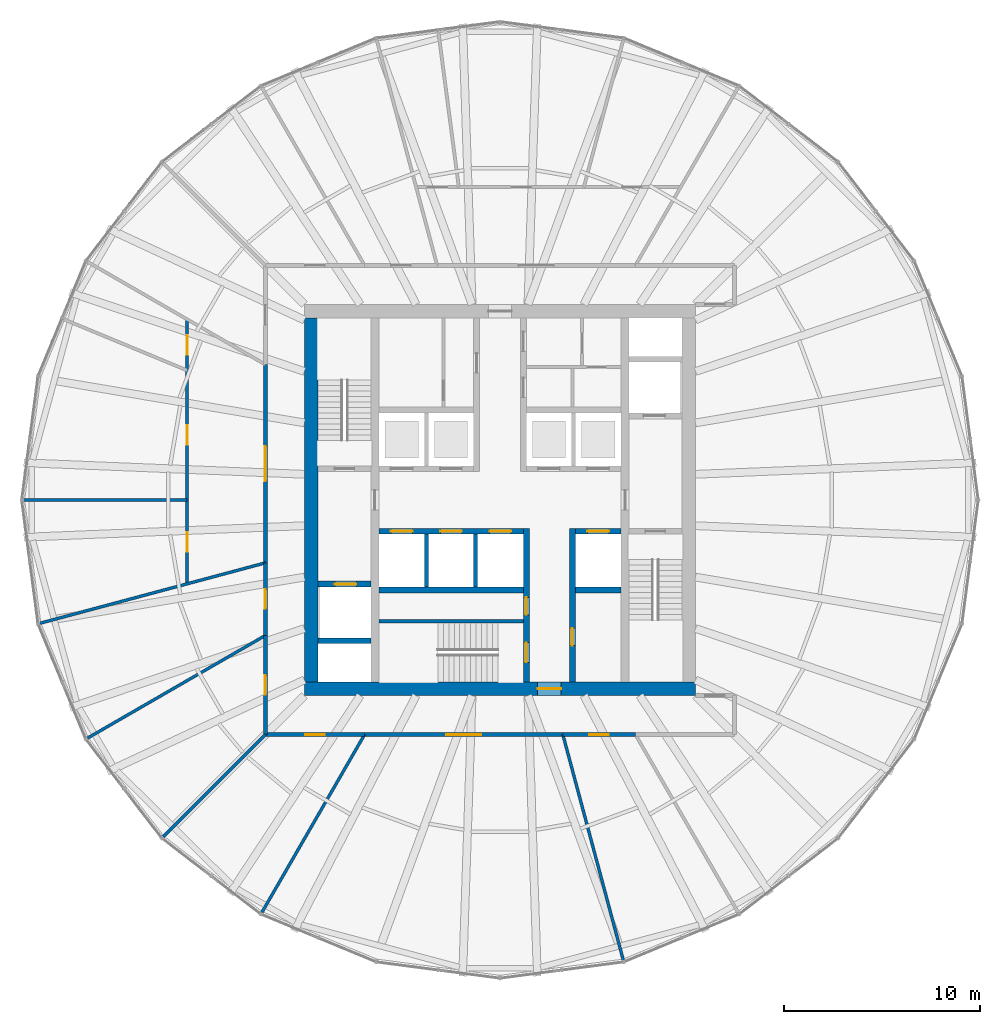
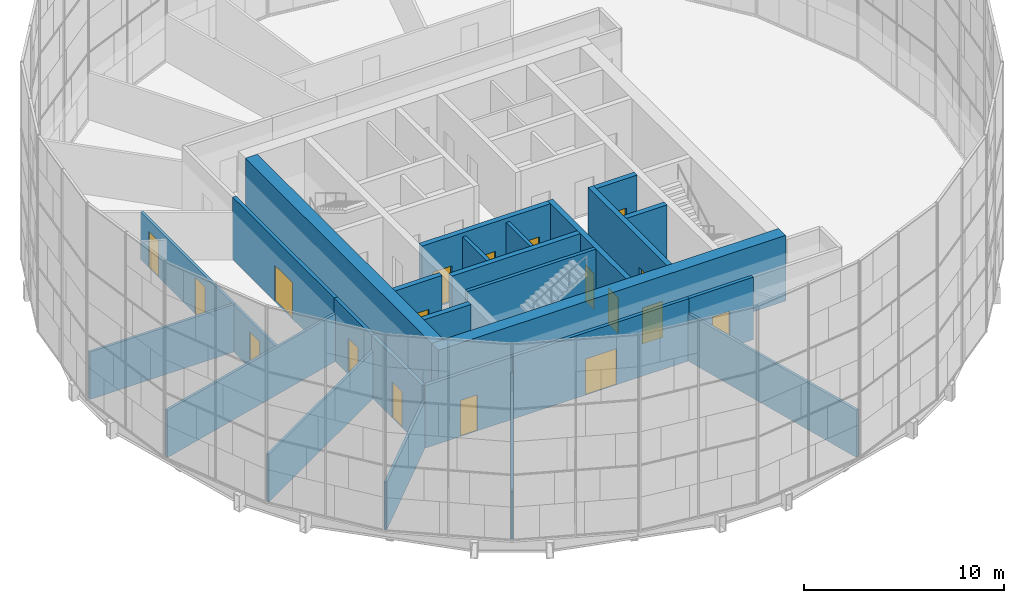
# One storey, part 18 of 22: 26 walls, 18 doors, 18 openings.
"""IFC4 building model written with IfcOpenShell, lengths in metres."""

from ifc_helpers import new_model, si_unit, direction, frame, frame_2d, origin, place, context, subcontext, project, spatial, rectangle, extrude, material, layer, layer_set, type_object, element, fill, save


model = new_model("IFC4")

# Units and contexts
model_context = context("Model", 3, precision=1e-05, world=origin(), true_north=direction((0.0, 1.0)))
body_context = subcontext(model_context, "Body", "Model", "MODEL_VIEW")
ifc_project = project(units=[si_unit("LENGTHUNIT", "METRE"), si_unit("AREAUNIT", "SQUARE_METRE"), si_unit("VOLUMEUNIT", "CUBIC_METRE"), si_unit("PLANEANGLEUNIT", "RADIAN"), si_unit("MASSUNIT", "GRAM", prefix="KILO")], contexts=[model_context])

# Site, building, storey
site_placement = place(None, origin())
site = spatial("IfcSite", under=ifc_project, at=site_placement, CompositionType="ELEMENT")
building_placement = place(site_placement, origin())
building = spatial("IfcBuilding", under=site, at=building_placement, Name="Golbaran Civic Tower", CompositionType="ELEMENT")
storey_placement = place(building_placement, frame((0.0, 0.0, 90.0)))
storey = spatial("IfcBuildingStorey", under=building, at=storey_placement, Name="L21", CompositionType="ELEMENT", Elevation=90.0)

# Wall, opening, door
ifc_material_1 = material(Name="Concrete C50/60", Category="concrete")
ifc_layer_1 = layer(ifc_material_1, 0.699951171875, Name="Concrete C50/60")
ifc_layer_set_1 = layer_set([ifc_layer_1], Name="Concrete C50/60")
wall_type_1 = type_object("IfcWallType", Name="CORE WALL CONCRETE 700", PredefinedType="SOLIDWALL", material=ifc_layer_set_1)
wall_1_placement = place(storey_placement, frame((10.0, -9.64990234375, 0.0), z_axis=(0.0, 0.0, 1.0), x_axis=(-1.0, 0.0, 0.0)))
wall_1 = element("IfcWall", 1, at=wall_1_placement, inside=storey, type_object=wall_type_1, Name="Core wall CS L21", PredefinedType="SOLIDWALL", context=body_context, shape_type="SweptSolid", body=[
    extrude(rectangle(XDim=20.0, YDim=0.699951171875, at=frame_2d((10.0, 0.0))), origin(), (0.0, 0.0, 1.0), 4.0),
])
opening_1_placement = place(wall_1_placement, frame((6.875, 0.0, 0.0)))
opening_1 = element("IfcOpeningElement", 2, at=opening_1_placement, cuts=wall_1, Name="Opening L21.CS", PredefinedType="OPENING", context=body_context, shape_type="SweptSolid", body=[
    extrude(rectangle(XDim=1.199951171875, YDim=2.199951171875, at=frame_2d((0.60009765625, 1.10009765625))), frame((0.0, 0.35986328125, 0.0), z_axis=(0.0, -1.0, 0.0), x_axis=(1.0, 0.0, 0.0)), (0.0, 0.0, 1.0), 0.719970703125),
])
ifc_material_2 = material(Name="Timber door set in steel frame", Category="steel")
door_type_1 = type_object("IfcDoorType", Name="CORE DOOR 1200x2200", OperationType="DOUBLE_DOOR_SINGLE_SWING", PredefinedType="DOOR", material=ifc_material_2)
door_1_placement = place(opening_1_placement, origin())
door_1 = element("IfcDoor", 3, at=door_1_placement, inside=storey, type_object=door_type_1, Name="Core door south", OperationType="DOUBLE_DOOR_SINGLE_SWING", OverallHeight=2.199951171875, OverallWidth=1.199951171875, PredefinedType="DOOR", context=body_context, shape_type="SweptSolid", body=[
    extrude(rectangle(XDim=1.199951171875, YDim=2.199951171875, at=frame_2d((0.60009765625, 1.10009765625))), frame((0.0, 0.02490234375, 0.0), z_axis=(0.0, -1.0, 0.0), x_axis=(1.0, 0.0, 0.0)), (0.0, 0.0, 1.0), 0.050048828125),
])
fill(opening_1, door_1)

# Wall
wall_2_placement = place(storey_placement, frame((-9.64990234375, 9.300048828125, 0.0), z_axis=(0.0, 0.0, 1.0), x_axis=(0.0, -1.0, 0.0)))
element("IfcWall", 4, at=wall_2_placement, inside=storey, type_object=wall_type_1, Name="Core wall CW L21", PredefinedType="SOLIDWALL", context=body_context, shape_type="SweptSolid", body=[
    extrude(rectangle(XDim=18.60009765625, YDim=0.699951171875, at=frame_2d((9.300048828125, 0.0))), origin(), (0.0, 0.0, 1.0), 4.0),
])

# Wall, opening, door
ifc_material_3 = material(Name="Gypsum board on steel studs, fire-rated", Category="steel")
ifc_layer_2 = layer(ifc_material_3, 0.199951171875, Name="Gypsum board on steel studs, fire-rated")
ifc_layer_set_2 = layer_set([ifc_layer_2], Name="Gypsum board on steel studs, fire-rated")
wall_type_2 = type_object("IfcWallType", Name="CORRIDOR WALL 200", PredefinedType="PARTITIONING", material=ifc_layer_set_2)
wall_3_placement = place(storey_placement, frame((-12.0, 6.92822265625, 0.0), z_axis=(0.0, 0.0, 1.0), x_axis=(0.0, -1.0, 0.0)))
wall_3 = element("IfcWall", 5, at=wall_3_placement, inside=storey, type_object=wall_type_2, Name="Corridor wall L21", PredefinedType="PARTITIONING", context=body_context, shape_type="SweptSolid", body=[
    extrude(rectangle(XDim=10.1435546875, YDim=0.199951171875, at=frame_2d((5.07177734375, 0.0))), origin(), (0.0, 0.0, 1.0), 3.800048828125),
])
opening_2_placement = place(wall_3_placement, frame((4.171875, 0.0, 0.0)))
opening_2 = element("IfcOpeningElement", 6, at=opening_2_placement, cuts=wall_3, Name="Opening L21.12", PredefinedType="OPENING", context=body_context, shape_type="SweptSolid", body=[
    extrude(rectangle(XDim=1.800048828125, YDim=2.199951171875, at=frame_2d((0.89990234375, 1.10009765625))), frame((0.0, 0.10986328125, 0.0), z_axis=(0.0, -1.0, 0.0), x_axis=(1.0, 0.0, 0.0)), (0.0, 0.0, 1.0), 0.219970703125),
])
door_type_2 = type_object("IfcDoorType", Name="OFFICE DOUBLE DOOR 1800x2200", OperationType="DOUBLE_DOOR_SINGLE_SWING", PredefinedType="DOOR", material=ifc_material_2)
door_2_placement = place(opening_2_placement, origin())
door_2 = element("IfcDoor", 7, at=door_2_placement, inside=storey, type_object=door_type_2, Name="Secretariat door L21", OperationType="DOUBLE_DOOR_SINGLE_SWING", OverallHeight=2.199951171875, OverallWidth=1.800048828125, PredefinedType="DOOR", context=body_context, shape_type="SweptSolid", body=[
    extrude(rectangle(XDim=1.800048828125, YDim=2.199951171875, at=frame_2d((0.89990234375, 1.10009765625))), frame((0.0, 0.02490234375, 0.0), z_axis=(0.0, -1.0, 0.0), x_axis=(1.0, 0.0, 0.0)), (0.0, 0.0, 1.0), 0.050048828125),
])
fill(opening_2, door_2)

wall_4_placement = place(storey_placement, frame((-12.0, -3.21533203125, 0.0), z_axis=(0.0, 0.0, 1.0), x_axis=(0.0, -1.0, 0.0)))
wall_4 = element("IfcWall", 8, at=wall_4_placement, inside=storey, type_object=wall_type_2, Name="Corridor wall L21", PredefinedType="PARTITIONING", context=body_context, shape_type="SweptSolid", body=[
    extrude(rectangle(XDim=3.712890625, YDim=0.199951171875, at=frame_2d((1.8564453125, 0.0))), origin(), (0.0, 0.0, 1.0), 3.800048828125),
])
opening_3_placement = place(wall_4_placement, frame((1.3564453125, 0.0, 0.0)))
opening_3 = element("IfcOpeningElement", 9, at=opening_3_placement, cuts=wall_4, Name="Opening L21.13", PredefinedType="OPENING", context=body_context, shape_type="SweptSolid", body=[
    extrude(rectangle(XDim=1.0, YDim=2.199951171875, at=frame_2d((0.5, 1.10009765625))), frame((0.0, 0.10986328125, 0.0), z_axis=(0.0, -1.0, 0.0), x_axis=(1.0, 0.0, 0.0)), (0.0, 0.0, 1.0), 0.219970703125),
])
door_type_3 = type_object("IfcDoorType", Name="OFFICE DOOR 1000x2200", OperationType="SINGLE_SWING_LEFT", PredefinedType="DOOR", material=ifc_material_2)
door_3_placement = place(opening_3_placement, origin())
door_3 = element("IfcDoor", 10, at=door_3_placement, inside=storey, type_object=door_type_3, Name="Meeting Room door L21", OperationType="SINGLE_SWING_RIGHT", OverallHeight=2.199951171875, OverallWidth=1.0, PredefinedType="DOOR", context=body_context, shape_type="SweptSolid", body=[
    extrude(rectangle(XDim=1.0, YDim=2.199951171875, at=frame_2d((0.5, 1.10009765625))), frame((0.0, 0.02490234375, 0.0), z_axis=(0.0, -1.0, 0.0), x_axis=(1.0, 0.0, 0.0)), (0.0, 0.0, 1.0), 0.050048828125),
])
fill(opening_3, door_3)

wall_5_placement = place(storey_placement, frame((-12.0, -6.92822265625, 0.0), z_axis=(0.0, 0.0, 1.0), x_axis=(0.0, -1.0, 0.0)))
wall_5 = element("IfcWall", 11, at=wall_5_placement, inside=storey, type_object=wall_type_2, Name="Corridor wall L21", PredefinedType="PARTITIONING", context=body_context, shape_type="SweptSolid", body=[
    extrude(rectangle(XDim=5.07177734375, YDim=0.199951171875, at=frame_2d((2.535888671875, 0.0))), origin(), (0.0, 0.0, 1.0), 3.800048828125),
])
opening_4_placement = place(wall_5_placement, frame((2.035888671875, 0.0, 0.0)))
opening_4 = element("IfcOpeningElement", 12, at=opening_4_placement, cuts=wall_5, Name="Opening L21.14", PredefinedType="OPENING", context=body_context, shape_type="SweptSolid", body=[
    extrude(rectangle(XDim=1.0, YDim=2.199951171875, at=frame_2d((0.5, 1.10009765625))), frame((0.0, 0.10986328125, 0.0), z_axis=(0.0, -1.0, 0.0), x_axis=(1.0, 0.0, 0.0)), (0.0, 0.0, 1.0), 0.219970703125),
])
door_4_placement = place(opening_4_placement, origin())
door_4 = element("IfcDoor", 13, at=door_4_placement, inside=storey, type_object=door_type_3, Name="Interview Room door L21", OperationType="SINGLE_SWING_RIGHT", OverallHeight=2.199951171875, OverallWidth=1.0, PredefinedType="DOOR", context=body_context, shape_type="SweptSolid", body=[
    extrude(rectangle(XDim=1.0, YDim=2.199951171875, at=frame_2d((0.5, 1.10009765625))), frame((0.0, 0.02490234375, 0.0), z_axis=(0.0, -1.0, 0.0), x_axis=(1.0, 0.0, 0.0)), (0.0, 0.0, 1.0), 0.050048828125),
])
fill(opening_4, door_4)

wall_6_placement = place(storey_placement, frame((-12.0, -12.0, 0.0), z_axis=(0.0, 0.0, 1.0), x_axis=(1.0, 0.0, 0.0)))
wall_6 = element("IfcWall", 14, at=wall_6_placement, inside=storey, type_object=wall_type_2, Name="Corridor wall L21", PredefinedType="PARTITIONING", context=body_context, shape_type="SweptSolid", body=[
    extrude(rectangle(XDim=5.07177734375, YDim=0.199951171875, at=frame_2d((2.535888671875, 0.0))), origin(), (0.0, 0.0, 1.0), 3.800048828125),
])
opening_5_placement = place(wall_6_placement, frame((2.035888671875, 0.0, 0.0)))
opening_5 = element("IfcOpeningElement", 15, at=opening_5_placement, cuts=wall_6, Name="Opening L21.15", PredefinedType="OPENING", context=body_context, shape_type="SweptSolid", body=[
    extrude(rectangle(XDim=1.0, YDim=2.199951171875, at=frame_2d((0.5, 1.10009765625))), frame((0.0, 0.10986328125, 0.0), z_axis=(0.0, -1.0, 0.0), x_axis=(1.0, 0.0, 0.0)), (0.0, 0.0, 1.0), 0.219970703125),
])
door_5_placement = place(opening_5_placement, origin())
door_5 = element("IfcDoor", 16, at=door_5_placement, inside=storey, type_object=door_type_3, Name="Interview Room door L21", OperationType="SINGLE_SWING_LEFT", OverallHeight=2.199951171875, OverallWidth=1.0, PredefinedType="DOOR", context=body_context, shape_type="SweptSolid", body=[
    extrude(rectangle(XDim=1.0, YDim=2.199951171875, at=frame_2d((0.5, 1.10009765625))), frame((0.0, 0.02490234375, 0.0), z_axis=(0.0, -1.0, 0.0), x_axis=(1.0, 0.0, 0.0)), (0.0, 0.0, 1.0), 0.050048828125),
])
fill(opening_5, door_5)

wall_7_placement = place(storey_placement, frame((-6.92822265625, -12.0, 0.0), z_axis=(0.0, 0.0, 1.0), x_axis=(1.0, 0.0, 0.0)))
wall_7 = element("IfcWall", 17, at=wall_7_placement, inside=storey, type_object=wall_type_2, Name="Corridor wall L21", PredefinedType="PARTITIONING", context=body_context, shape_type="SweptSolid", body=[
    extrude(rectangle(XDim=10.1435546875, YDim=0.199951171875, at=frame_2d((5.07177734375, 0.0))), origin(), (0.0, 0.0, 1.0), 3.800048828125),
])
opening_6_placement = place(wall_7_placement, frame((4.171875, 0.0, 0.0)))
opening_6 = element("IfcOpeningElement", 18, at=opening_6_placement, cuts=wall_7, Name="Opening L21.16", PredefinedType="OPENING", context=body_context, shape_type="SweptSolid", body=[
    extrude(rectangle(XDim=1.800048828125, YDim=2.199951171875, at=frame_2d((0.89990234375, 1.10009765625))), frame((0.0, 0.10986328125, 0.0), z_axis=(0.0, -1.0, 0.0), x_axis=(1.0, 0.0, 0.0)), (0.0, 0.0, 1.0), 0.219970703125),
])
door_6_placement = place(opening_6_placement, origin())
door_6 = element("IfcDoor", 19, at=door_6_placement, inside=storey, type_object=door_type_2, Name="Sky Lobby door L21", OperationType="DOUBLE_DOOR_SINGLE_SWING", OverallHeight=2.199951171875, OverallWidth=1.800048828125, PredefinedType="DOOR", context=body_context, shape_type="SweptSolid", body=[
    extrude(rectangle(XDim=1.800048828125, YDim=2.199951171875, at=frame_2d((0.89990234375, 1.10009765625))), frame((0.0, 0.02490234375, 0.0), z_axis=(0.0, -1.0, 0.0), x_axis=(1.0, 0.0, 0.0)), (0.0, 0.0, 1.0), 0.050048828125),
])
fill(opening_6, door_6)

wall_8_placement = place(storey_placement, frame((3.21533203125, -12.0, 0.0), z_axis=(0.0, 0.0, 1.0), x_axis=(1.0, 0.0, 0.0)))
wall_8 = element("IfcWall", 20, at=wall_8_placement, inside=storey, type_object=wall_type_2, Name="Corridor wall L21", PredefinedType="PARTITIONING", context=body_context, shape_type="SweptSolid", body=[
    extrude(rectangle(XDim=3.712890625, YDim=0.199951171875, at=frame_2d((1.8564453125, 0.0))), origin(), (0.0, 0.0, 1.0), 3.800048828125),
])
opening_7_placement = place(wall_8_placement, frame((1.3564453125, 0.0, 0.0)))
opening_7 = element("IfcOpeningElement", 21, at=opening_7_placement, cuts=wall_8, Name="Opening L21.17", PredefinedType="OPENING", context=body_context, shape_type="SweptSolid", body=[
    extrude(rectangle(XDim=1.0, YDim=2.199951171875, at=frame_2d((0.5, 1.10009765625))), frame((0.0, 0.10986328125, 0.0), z_axis=(0.0, -1.0, 0.0), x_axis=(1.0, 0.0, 0.0)), (0.0, 0.0, 1.0), 0.219970703125),
])
door_7_placement = place(opening_7_placement, origin())
door_7 = element("IfcDoor", 22, at=door_7_placement, inside=storey, type_object=door_type_3, Name="Meeting Room door L21", OperationType="SINGLE_SWING_LEFT", OverallHeight=2.199951171875, OverallWidth=1.0, PredefinedType="DOOR", context=body_context, shape_type="SweptSolid", body=[
    extrude(rectangle(XDim=1.0, YDim=2.199951171875, at=frame_2d((0.5, 1.10009765625))), frame((0.0, 0.02490234375, 0.0), z_axis=(0.0, -1.0, 0.0), x_axis=(1.0, 0.0, 0.0)), (0.0, 0.0, 1.0), 0.050048828125),
])
fill(opening_7, door_7)

# Walls
ifc_material_4 = material(Name="Concrete block", Category="concrete")
ifc_layer_3 = layer(ifc_material_4, 0.199951171875, Name="Concrete block")
ifc_layer_set_3 = layer_set([ifc_layer_3], Name="Concrete block")
wall_type_3 = type_object("IfcWallType", Name="LIFT SEPARATOR WALL 200", PredefinedType="SOLIDWALL", material=ifc_layer_set_3)
for number, where, z_axis, x_axis, name in (
    (23, (-3.75, -1.75, 0.0), (0.0, 0.0, 1.0), (0.0, -1.0, 0.0), "Core partition SSW L21"),
    (24, (-1.25, -1.75, 0.0), (0.0, 0.0, 1.0), (0.0, -1.0, 0.0), "Core partition SSM L21"),
):
    element("IfcWall", number, at=place(storey_placement, frame(where, z_axis=z_axis, x_axis=x_axis)), inside=storey, type_object=wall_type_3, Name=name, PredefinedType="SOLIDWALL", context=body_context, shape_type="SweptSolid", body=[
        extrude(rectangle(XDim=2.699951171875, YDim=0.199951171875, at=frame_2d((1.35009765625, 0.0))), origin(), (0.0, 0.0, 1.0), 3.75),
    ])
ifc_material_5 = material(Name="Gypsum board on steel studs", Category="steel")
ifc_layer_4 = layer(ifc_material_5, 0.14990234375, Name="Gypsum board on steel studs")
ifc_layer_set_4 = layer_set([ifc_layer_4], Name="Gypsum board on steel studs")
wall_type_4 = type_object("IfcWallType", Name="OFFICE PARTITION 150", PredefinedType="PARTITIONING", material=ifc_layer_set_4)
wall_9_placement = place(storey_placement, frame((-12.0, -3.21533203125, 0.0), z_axis=(0.0, 0.0, 1.0), x_axis=(-0.965926615498, -0.258816099716, 0.0)))
element("IfcWall", 25, at=wall_9_placement, inside=storey, type_object=wall_type_4, Name="Partition 195 L21", PredefinedType="PARTITIONING", context=body_context, shape_type="SweptSolid", body=[
    extrude(rectangle(XDim=11.94677734375, YDim=0.14990234375, at=frame_2d((5.973388671875, 0.0))), origin(), (0.0, 0.0, 1.0), 2.889892578125),
])
wall_10_placement = place(storey_placement, frame((-12.0, -6.92822265625, 0.0), z_axis=(0.0, 0.0, 1.0), x_axis=(-0.866028201971, -0.499995153367, 0.0)))
element("IfcWall", 26, at=wall_10_placement, inside=storey, type_object=wall_type_4, Name="Partition 210 L21", PredefinedType="PARTITIONING", context=body_context, shape_type="SweptSolid", body=[
    extrude(rectangle(XDim=10.513671875, YDim=0.14990234375, at=frame_2d((5.2568359375, 0.0))), origin(), (0.0, 0.0, 1.0), 2.889892578125),
])
wall_11_placement = place(storey_placement, frame((-12.0, -12.0, 0.0), z_axis=(0.0, 0.0, 1.0), x_axis=(-0.707106781187, -0.707106781187, 0.0)))
element("IfcWall", 27, at=wall_11_placement, inside=storey, type_object=wall_type_4, Name="Partition 225 L21", PredefinedType="PARTITIONING", context=body_context, shape_type="SweptSolid", body=[
    extrude(rectangle(XDim=7.399658203125, YDim=0.14990234375, at=frame_2d((3.69970703125, 0.0))), origin(), (0.0, 0.0, 1.0), 2.889892578125),
])
wall_12_placement = place(storey_placement, frame((-6.92822265625, -12.0, 0.0), z_axis=(0.0, 0.0, 1.0), x_axis=(-0.499995153367, -0.866028201971, 0.0)))
element("IfcWall", 28, at=wall_12_placement, inside=storey, type_object=wall_type_4, Name="Partition 240 L21", PredefinedType="PARTITIONING", context=body_context, shape_type="SweptSolid", body=[
    extrude(rectangle(XDim=10.513671875, YDim=0.14990234375, at=frame_2d((5.2568359375, 0.0))), origin(), (0.0, 0.0, 1.0), 2.889892578125),
])
wall_13_placement = place(storey_placement, frame((3.21533203125, -12.0, 0.0), z_axis=(0.0, 0.0, 1.0), x_axis=(0.258816099716, -0.965926615498, 0.0)))
element("IfcWall", 29, at=wall_13_placement, inside=storey, type_object=wall_type_4, Name="Partition 285 L21", PredefinedType="PARTITIONING", context=body_context, shape_type="SweptSolid", body=[
    extrude(rectangle(XDim=11.94677734375, YDim=0.14990234375, at=frame_2d((5.973388671875, 0.0))), origin(), (0.0, 0.0, 1.0), 2.889892578125),
])

# Wall, openings, doors
wall_14_placement = place(storey_placement, frame((-16.0, 9.237548828125, 0.0), z_axis=(0.0, 0.0, 1.0), x_axis=(0.0, -1.0, 0.0)))
wall_14 = element("IfcWall", 30, at=wall_14_placement, inside=storey, type_object=wall_type_4, Name="Suite partition L21", PredefinedType="PARTITIONING", context=body_context, shape_type="SweptSolid", body=[
    extrude(rectangle(XDim=13.524658203125, YDim=0.14990234375, at=frame_2d((6.76220703125, 0.0))), origin(), (0.0, 0.0, 1.0), 2.889892578125),
])
opening_8_placement = place(wall_14_placement, frame((0.80517578125, 0.0, 0.0)))
opening_8 = element("IfcOpeningElement", 31, at=opening_8_placement, cuts=wall_14, Name="Opening L21.04", PredefinedType="OPENING", context=body_context, shape_type="SweptSolid", body=[
    extrude(rectangle(XDim=1.0, YDim=2.199951171875, at=frame_2d((0.5, 1.10009765625))), frame((0.0, 0.0849609375, 0.0), z_axis=(0.0, -1.0, 0.0), x_axis=(1.0, 0.0, 0.0)), (0.0, 0.0, 1.0), 0.169921875),
])
opening_9_placement = place(wall_14_placement, frame((5.423828125, 0.0, 0.0)))
opening_9 = element("IfcOpeningElement", 32, at=opening_9_placement, cuts=wall_14, Name="Opening L21.05", PredefinedType="OPENING", context=body_context, shape_type="SweptSolid", body=[
    extrude(rectangle(XDim=1.0, YDim=2.199951171875, at=frame_2d((0.5, 1.10009765625))), frame((0.0, 0.0849609375, 0.0), z_axis=(0.0, -1.0, 0.0), x_axis=(1.0, 0.0, 0.0)), (0.0, 0.0, 1.0), 0.169921875),
])
opening_10_placement = place(wall_14_placement, frame((10.881103515625, 0.0, 0.0)))
opening_10 = element("IfcOpeningElement", 33, at=opening_10_placement, cuts=wall_14, Name="Opening L21.06", PredefinedType="OPENING", context=body_context, shape_type="SweptSolid", body=[
    extrude(rectangle(XDim=1.0, YDim=2.199951171875, at=frame_2d((0.5, 1.10009765625))), frame((0.0, 0.0849609375, 0.0), z_axis=(0.0, -1.0, 0.0), x_axis=(1.0, 0.0, 0.0)), (0.0, 0.0, 1.0), 0.169921875),
])
door_8_placement = place(opening_8_placement, origin())
door_8 = element("IfcDoor", 34, at=door_8_placement, inside=storey, type_object=door_type_3, Name="Director's Office door L21", OperationType="SINGLE_SWING_LEFT", OverallHeight=2.199951171875, OverallWidth=1.0, PredefinedType="DOOR", context=body_context, shape_type="SweptSolid", body=[
    extrude(rectangle(XDim=1.0, YDim=2.199951171875, at=frame_2d((0.5, 1.10009765625))), frame((0.0, 0.02490234375, 0.0), z_axis=(0.0, -1.0, 0.0), x_axis=(1.0, 0.0, 0.0)), (0.0, 0.0, 1.0), 0.050048828125),
])
fill(opening_8, door_8)
door_9_placement = place(opening_9_placement, origin())
door_9 = element("IfcDoor", 35, at=door_9_placement, inside=storey, type_object=door_type_3, Name="Director's Office door L21", OperationType="SINGLE_SWING_LEFT", OverallHeight=2.199951171875, OverallWidth=1.0, PredefinedType="DOOR", context=body_context, shape_type="SweptSolid", body=[
    extrude(rectangle(XDim=1.0, YDim=2.199951171875, at=frame_2d((0.5, 1.10009765625))), frame((0.0, 0.02490234375, 0.0), z_axis=(0.0, -1.0, 0.0), x_axis=(1.0, 0.0, 0.0)), (0.0, 0.0, 1.0), 0.050048828125),
])
fill(opening_9, door_9)
door_10_placement = place(opening_10_placement, origin())
door_10 = element("IfcDoor", 36, at=door_10_placement, inside=storey, type_object=door_type_3, Name="Office door L21", OperationType="SINGLE_SWING_RIGHT", OverallHeight=2.199951171875, OverallWidth=1.0, PredefinedType="DOOR", context=body_context, shape_type="SweptSolid", body=[
    extrude(rectangle(XDim=1.0, YDim=2.199951171875, at=frame_2d((0.5, 1.10009765625))), frame((0.0, 0.02490234375, 0.0), z_axis=(0.0, -1.0, 0.0), x_axis=(1.0, 0.0, 0.0)), (0.0, 0.0, 1.0), 0.050048828125),
])
fill(opening_10, door_10)

# Walls
wall_15_placement = place(storey_placement, frame((-16.0, 0.0, 0.0), z_axis=(0.0, 0.0, 1.0), x_axis=(-1.0, 0.0, 0.0)))
element("IfcWall", 37, at=wall_15_placement, inside=storey, type_object=wall_type_4, Name="Partition 180 L21", PredefinedType="PARTITIONING", context=body_context, shape_type="SweptSolid", body=[
    extrude(rectangle(XDim=8.3701171875, YDim=0.14990234375, at=frame_2d((4.18505859375, 0.0))), origin(), (0.0, 0.0, 1.0), 2.889892578125),
])
ifc_layer_5 = layer(ifc_material_1, 0.199951171875, Name="Concrete C50/60")
ifc_layer_set_5 = layer_set([ifc_layer_5], Name="Concrete C50/60")
wall_type_5 = type_object("IfcWallType", Name="SHAFT WALL CONCRETE 200", PredefinedType="SOLIDWALL", material=ifc_layer_set_5)
wall_16_placement = place(storey_placement, frame((-6.199951171875, -6.199951171875, 0.0), z_axis=(0.0, 0.0, 1.0), x_axis=(1.0, 0.0, 0.0)))
element("IfcWall", 38, at=wall_16_placement, inside=storey, type_object=wall_type_5, Name="Core wall S3N L21", PredefinedType="SOLIDWALL", context=body_context, shape_type="SweptSolid", body=[
    extrude(rectangle(XDim=7.39990234375, YDim=0.199951171875, at=frame_2d((3.699951171875, 0.0))), origin(), (0.0, 0.0, 1.0), 4.0),
])

# Wall, openings, doors
ifc_layer_6 = layer(ifc_material_1, 0.300048828125, Name="Concrete C50/60")
ifc_layer_set_6 = layer_set([ifc_layer_6], Name="Concrete C50/60")
wall_type_6 = type_object("IfcWallType", Name="SHAFT WALL CONCRETE 300", PredefinedType="SOLIDWALL", material=ifc_layer_set_6)
wall_17_placement = place(storey_placement, frame((-6.199951171875, -1.60009765625, 0.0), z_axis=(0.0, 0.0, 1.0), x_axis=(1.0, 0.0, 0.0)))
wall_17 = element("IfcWall", 39, at=wall_17_placement, inside=storey, type_object=wall_type_6, Name="Core wall FSW L21", PredefinedType="SOLIDWALL", context=body_context, shape_type="SweptSolid", body=[
    extrude(rectangle(XDim=7.39990234375, YDim=0.300048828125, at=frame_2d((3.699951171875, 0.0))), origin(), (0.0, 0.0, 1.0), 4.0),
])
opening_11_placement = place(wall_17_placement, frame((0.625, 0.0, 0.0)))
opening_11 = element("IfcOpeningElement", 40, at=opening_11_placement, cuts=wall_17, Name="Opening L21.LD-H1", PredefinedType="OPENING", context=body_context, shape_type="SweptSolid", body=[
    extrude(rectangle(XDim=1.10009765625, YDim=2.199951171875, at=frame_2d((0.550048828125, 1.10009765625))), frame((0.0, 0.159912109375, 0.0), z_axis=(0.0, -1.0, 0.0), x_axis=(1.0, 0.0, 0.0)), (0.0, 0.0, 1.0), 0.320068359375),
])
opening_12_placement = place(wall_17_placement, frame((3.14990234375, 0.0, 0.0)))
opening_12 = element("IfcOpeningElement", 41, at=opening_12_placement, cuts=wall_17, Name="Opening L21.LD-H2", PredefinedType="OPENING", context=body_context, shape_type="SweptSolid", body=[
    extrude(rectangle(XDim=1.10009765625, YDim=2.199951171875, at=frame_2d((0.550048828125, 1.10009765625))), frame((0.0, 0.159912109375, 0.0), z_axis=(0.0, -1.0, 0.0), x_axis=(1.0, 0.0, 0.0)), (0.0, 0.0, 1.0), 0.320068359375),
])
opening_13_placement = place(wall_17_placement, frame((5.675048828125, 0.0, 0.0)))
opening_13 = element("IfcOpeningElement", 42, at=opening_13_placement, cuts=wall_17, Name="Opening L21.LD-H3", PredefinedType="OPENING", context=body_context, shape_type="SweptSolid", body=[
    extrude(rectangle(XDim=1.10009765625, YDim=2.199951171875, at=frame_2d((0.550048828125, 1.10009765625))), frame((0.0, 0.159912109375, 0.0), z_axis=(0.0, -1.0, 0.0), x_axis=(1.0, 0.0, 0.0)), (0.0, 0.0, 1.0), 0.320068359375),
])
ifc_material_6 = material(Name="Stainless steel", Category="steel")
door_type_4 = type_object("IfcDoorType", Name="LIFT LANDING DOOR 1100x2200", OperationType="SLIDING_TO_LEFT", PredefinedType="DOOR", material=ifc_material_6)
door_11_placement = place(opening_11_placement, origin())
door_11 = element("IfcDoor", 43, at=door_11_placement, inside=storey, type_object=door_type_4, Name="Lift landing door H1", OperationType="SLIDING_TO_LEFT", OverallHeight=2.199951171875, OverallWidth=1.10009765625, PredefinedType="DOOR", context=body_context, shape_type="SweptSolid", body=[
    extrude(rectangle(XDim=1.10009765625, YDim=2.199951171875, at=frame_2d((0.550048828125, 1.10009765625))), frame((0.0, 0.02490234375, 0.0), z_axis=(0.0, -1.0, 0.0), x_axis=(1.0, 0.0, 0.0)), (0.0, 0.0, 1.0), 0.050048828125),
])
fill(opening_11, door_11)
door_12_placement = place(opening_12_placement, origin())
door_12 = element("IfcDoor", 44, at=door_12_placement, inside=storey, type_object=door_type_4, Name="Lift landing door H2", OperationType="SLIDING_TO_LEFT", OverallHeight=2.199951171875, OverallWidth=1.10009765625, PredefinedType="DOOR", context=body_context, shape_type="SweptSolid", body=[
    extrude(rectangle(XDim=1.10009765625, YDim=2.199951171875, at=frame_2d((0.550048828125, 1.10009765625))), frame((0.0, 0.02490234375, 0.0), z_axis=(0.0, -1.0, 0.0), x_axis=(1.0, 0.0, 0.0)), (0.0, 0.0, 1.0), 0.050048828125),
])
fill(opening_12, door_12)
door_13_placement = place(opening_13_placement, origin())
door_13 = element("IfcDoor", 45, at=door_13_placement, inside=storey, type_object=door_type_4, Name="Lift landing door H3", OperationType="SLIDING_TO_LEFT", OverallHeight=2.199951171875, OverallWidth=1.10009765625, PredefinedType="DOOR", context=body_context, shape_type="SweptSolid", body=[
    extrude(rectangle(XDim=1.10009765625, YDim=2.199951171875, at=frame_2d((0.550048828125, 1.10009765625))), frame((0.0, 0.02490234375, 0.0), z_axis=(0.0, -1.0, 0.0), x_axis=(1.0, 0.0, 0.0)), (0.0, 0.0, 1.0), 0.050048828125),
])
fill(opening_13, door_13)

# Wall, opening, door
wall_18_placement = place(storey_placement, frame((3.85009765625, -1.60009765625, 0.0), z_axis=(0.0, 0.0, 1.0), x_axis=(1.0, 0.0, 0.0)))
wall_18 = element("IfcWall", 46, at=wall_18_placement, inside=storey, type_object=wall_type_6, Name="Core wall FSE L21", PredefinedType="SOLIDWALL", context=body_context, shape_type="SweptSolid", body=[
    extrude(rectangle(XDim=2.349853515625, YDim=0.300048828125, at=frame_2d((1.1748046875, 0.0))), origin(), (0.0, 0.0, 1.0), 4.0),
])
opening_14_placement = place(wall_18_placement, frame((0.625, 0.0, 0.0)))
opening_14 = element("IfcOpeningElement", 47, at=opening_14_placement, cuts=wall_18, Name="Opening L21.LD-V1", PredefinedType="OPENING", context=body_context, shape_type="SweptSolid", body=[
    extrude(rectangle(XDim=1.10009765625, YDim=2.199951171875, at=frame_2d((0.550048828125, 1.10009765625))), frame((0.0, 0.159912109375, 0.0), z_axis=(0.0, -1.0, 0.0), x_axis=(1.0, 0.0, 0.0)), (0.0, 0.0, 1.0), 0.320068359375),
])
door_14_placement = place(opening_14_placement, origin())
door_14 = element("IfcDoor", 48, at=door_14_placement, inside=storey, type_object=door_type_4, Name="Lift landing door V1", OperationType="SLIDING_TO_LEFT", OverallHeight=2.199951171875, OverallWidth=1.10009765625, PredefinedType="DOOR", context=body_context, shape_type="SweptSolid", body=[
    extrude(rectangle(XDim=1.10009765625, YDim=2.199951171875, at=frame_2d((0.550048828125, 1.10009765625))), frame((0.0, 0.02490234375, 0.0), z_axis=(0.0, -1.0, 0.0), x_axis=(1.0, 0.0, 0.0)), (0.0, 0.0, 1.0), 0.050048828125),
])
fill(opening_14, door_14)

# Walls
wall_19_placement = place(storey_placement, frame((-6.199951171875, -4.60009765625, 0.0), z_axis=(0.0, 0.0, 1.0), x_axis=(1.0, 0.0, 0.0)))
element("IfcWall", 49, at=wall_19_placement, inside=storey, type_object=wall_type_6, Name="Core wall BSW L21", PredefinedType="SOLIDWALL", context=body_context, shape_type="SweptSolid", body=[
    extrude(rectangle(XDim=7.39990234375, YDim=0.300048828125, at=frame_2d((3.699951171875, 0.0))), origin(), (0.0, 0.0, 1.0), 4.0),
])
wall_20_placement = place(storey_placement, frame((3.85009765625, -4.60009765625, 0.0), z_axis=(0.0, 0.0, 1.0), x_axis=(1.0, 0.0, 0.0)))
element("IfcWall", 50, at=wall_20_placement, inside=storey, type_object=wall_type_6, Name="Core wall BSE L21", PredefinedType="SOLIDWALL", context=body_context, shape_type="SweptSolid", body=[
    extrude(rectangle(XDim=2.349853515625, YDim=0.300048828125, at=frame_2d((1.1748046875, 0.0))), origin(), (0.0, 0.0, 1.0), 4.0),
])

# Wall, openings, doors
wall_21_placement = place(storey_placement, frame((1.35009765625, -1.449951171875, 0.0), z_axis=(0.0, 0.0, 1.0), x_axis=(0.0, -1.0, 0.0)))
wall_21 = element("IfcWall", 51, at=wall_21_placement, inside=storey, type_object=wall_type_6, Name="Core wall PSW L21", PredefinedType="SOLIDWALL", context=body_context, shape_type="SweptSolid", body=[
    extrude(rectangle(XDim=7.85009765625, YDim=0.300048828125, at=frame_2d((3.925048828125, 0.0))), origin(), (0.0, 0.0, 1.0), 4.0),
])
opening_15_placement = place(wall_21_placement, frame((5.85009765625, 0.0, 0.0)))
opening_15 = element("IfcOpeningElement", 52, at=opening_15_placement, cuts=wall_21, Name="Opening L21.S3", PredefinedType="OPENING", context=body_context, shape_type="SweptSolid", body=[
    extrude(rectangle(XDim=1.0, YDim=2.199951171875, at=frame_2d((0.5, 1.10009765625))), frame((0.0, 0.159912109375, 0.0), z_axis=(0.0, -1.0, 0.0), x_axis=(1.0, 0.0, 0.0)), (0.0, 0.0, 1.0), 0.320068359375),
])
opening_16_placement = place(wall_21_placement, frame((3.52490234375, 0.0, 0.0)))
opening_16 = element("IfcOpeningElement", 53, at=opening_16_placement, cuts=wall_21, Name="Opening L21.RE", PredefinedType="OPENING", context=body_context, shape_type="SweptSolid", body=[
    extrude(rectangle(XDim=0.89990234375, YDim=2.199951171875, at=frame_2d((0.449951171875, 1.10009765625))), frame((0.0, 0.159912109375, 0.0), z_axis=(0.0, -1.0, 0.0), x_axis=(1.0, 0.0, 0.0)), (0.0, 0.0, 1.0), 0.320068359375),
])
door_type_5 = type_object("IfcDoorType", Name="RISER DOOR 900x2200", OperationType="SINGLE_SWING_LEFT", PredefinedType="DOOR", material=ifc_material_2)
door_15_placement = place(opening_16_placement, origin())
door_15 = element("IfcDoor", 54, at=door_15_placement, inside=storey, type_object=door_type_5, Name="Electrical riser door", OperationType="SINGLE_SWING_RIGHT", OverallHeight=2.199951171875, OverallWidth=0.89990234375, PredefinedType="DOOR", context=body_context, shape_type="SweptSolid", body=[
    extrude(rectangle(XDim=0.89990234375, YDim=2.199951171875, at=frame_2d((0.449951171875, 1.10009765625))), frame((0.0, 0.02490234375, 0.0), z_axis=(0.0, -1.0, 0.0), x_axis=(1.0, 0.0, 0.0)), (0.0, 0.0, 1.0), 0.050048828125),
])
fill(opening_16, door_15)
door_type_6 = type_object("IfcDoorType", Name="STAIR DOOR 1000x2200", OperationType="SINGLE_SWING_LEFT", PredefinedType="DOOR", material=ifc_material_2)
door_16_placement = place(opening_15_placement, origin())
door_16 = element("IfcDoor", 55, at=door_16_placement, inside=storey, type_object=door_type_6, Name="Stair S3 door", OperationType="SINGLE_SWING_RIGHT", OverallHeight=2.199951171875, OverallWidth=1.0, PredefinedType="DOOR", context=body_context, shape_type="SweptSolid", body=[
    extrude(rectangle(XDim=1.0, YDim=2.199951171875, at=frame_2d((0.5, 1.10009765625))), frame((0.0, 0.02490234375, 0.0), z_axis=(0.0, -1.0, 0.0), x_axis=(1.0, 0.0, 0.0)), (0.0, 0.0, 1.0), 0.050048828125),
])
fill(opening_15, door_16)

# Wall, opening, door
wall_22_placement = place(storey_placement, frame((3.699951171875, -1.449951171875, 0.0), z_axis=(0.0, 0.0, 1.0), x_axis=(0.0, -1.0, 0.0)))
wall_22 = element("IfcWall", 56, at=wall_22_placement, inside=storey, type_object=wall_type_6, Name="Core wall PSE L21", PredefinedType="SOLIDWALL", context=body_context, shape_type="SweptSolid", body=[
    extrude(rectangle(XDim=7.85009765625, YDim=0.300048828125, at=frame_2d((3.925048828125, 0.0))), origin(), (0.0, 0.0, 1.0), 4.0),
])
opening_17_placement = place(wall_22_placement, frame((5.10009765625, 0.0, 0.0)))
opening_17 = element("IfcOpeningElement", 57, at=opening_17_placement, cuts=wall_22, Name="Opening L21.RM", PredefinedType="OPENING", context=body_context, shape_type="SweptSolid", body=[
    extrude(rectangle(XDim=0.89990234375, YDim=2.199951171875, at=frame_2d((0.449951171875, 1.10009765625))), frame((0.0, 0.159912109375, 0.0), z_axis=(0.0, -1.0, 0.0), x_axis=(1.0, 0.0, 0.0)), (0.0, 0.0, 1.0), 0.320068359375),
])
door_17_placement = place(opening_17_placement, origin())
door_17 = element("IfcDoor", 58, at=door_17_placement, inside=storey, type_object=door_type_5, Name="Mechanical riser door", OperationType="SINGLE_SWING_RIGHT", OverallHeight=2.199951171875, OverallWidth=0.89990234375, PredefinedType="DOOR", context=body_context, shape_type="SweptSolid", body=[
    extrude(rectangle(XDim=0.89990234375, YDim=2.199951171875, at=frame_2d((0.449951171875, 1.10009765625))), frame((0.0, 0.02490234375, 0.0), z_axis=(0.0, -1.0, 0.0), x_axis=(1.0, 0.0, 0.0)), (0.0, 0.0, 1.0), 0.050048828125),
])
fill(opening_17, door_17)

wall_23_placement = place(storey_placement, frame((-9.300048828125, -4.300048828125, 0.0), z_axis=(0.0, 0.0, 1.0), x_axis=(1.0, 0.0, 0.0)))
wall_23 = element("IfcWall", 59, at=wall_23_placement, inside=storey, type_object=wall_type_6, Name="Core wall XW2 L21", PredefinedType="SOLIDWALL", context=body_context, shape_type="SweptSolid", body=[
    extrude(rectangle(XDim=2.699951171875, YDim=0.300048828125, at=frame_2d((1.35009765625, 0.0))), origin(), (0.0, 0.0, 1.0), 4.0),
])
opening_18_placement = place(wall_23_placement, frame((0.85009765625, 0.0, 0.0)))
opening_18 = element("IfcOpeningElement", 60, at=opening_18_placement, cuts=wall_23, Name="Opening L21.LD-F1", PredefinedType="OPENING", context=body_context, shape_type="SweptSolid", body=[
    extrude(rectangle(XDim=1.10009765625, YDim=2.199951171875, at=frame_2d((0.550048828125, 1.10009765625))), frame((0.0, 0.159912109375, 0.0), z_axis=(0.0, -1.0, 0.0), x_axis=(1.0, 0.0, 0.0)), (0.0, 0.0, 1.0), 0.320068359375),
])
door_18_placement = place(opening_18_placement, origin())
door_18 = element("IfcDoor", 61, at=door_18_placement, inside=storey, type_object=door_type_4, Name="Lift landing door F1", OperationType="SLIDING_TO_LEFT", OverallHeight=2.199951171875, OverallWidth=1.10009765625, PredefinedType="DOOR", context=body_context, shape_type="SweptSolid", body=[
    extrude(rectangle(XDim=1.10009765625, YDim=2.199951171875, at=frame_2d((0.550048828125, 1.10009765625))), frame((0.0, 0.02490234375, 0.0), z_axis=(0.0, -1.0, 0.0), x_axis=(1.0, 0.0, 0.0)), (0.0, 0.0, 1.0), 0.050048828125),
])
fill(opening_18, door_18)

# Wall
wall_24_placement = place(storey_placement, frame((-9.300048828125, -7.199951171875, 0.0), z_axis=(0.0, 0.0, 1.0), x_axis=(1.0, 0.0, 0.0)))
element("IfcWall", 62, at=wall_24_placement, inside=storey, type_object=wall_type_6, Name="Core wall XW3 L21", PredefinedType="SOLIDWALL", context=body_context, shape_type="SweptSolid", body=[
    extrude(rectangle(XDim=2.699951171875, YDim=0.300048828125, at=frame_2d((1.35009765625, 0.0))), origin(), (0.0, 0.0, 1.0), 4.0),
])

save(model, "model.ifc")
